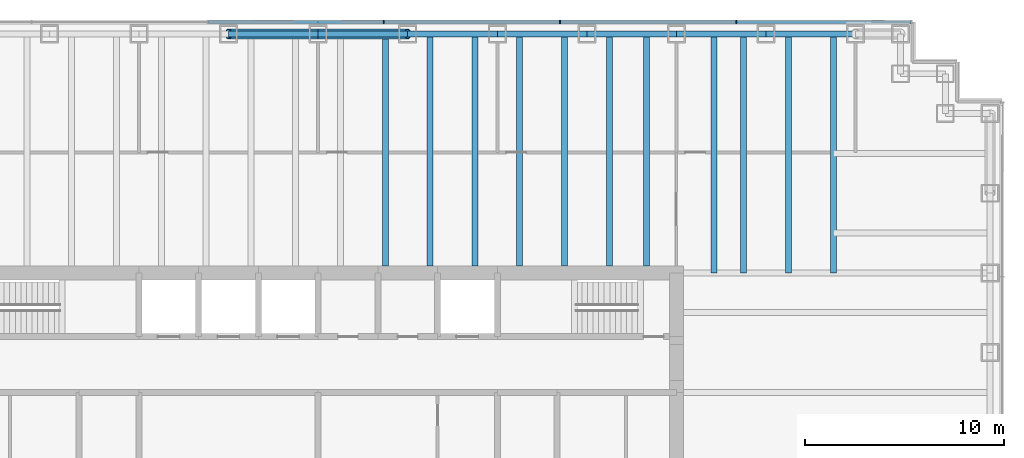
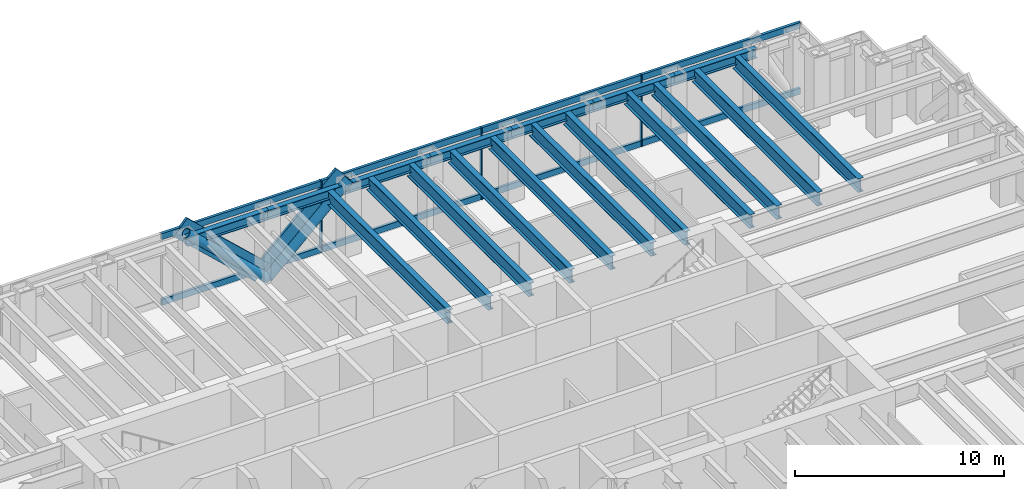
# One storey, part 7 of 15: 18 beams, 15 members, 1 element without a shape of its own.
"""IFC4 building model written with IfcOpenShell, lengths in metres."""

from ifc_helpers import new_model, si_unit, direction, frame, origin, origin_2d, place, context, subcontext, project, spatial, rectangle, hollow_circle, i_section, extrude, material, material_profile, profile_set, type_object, element, aggregate, save


model = new_model("IFC4")

# Units and contexts
model_context = context("Model", 3, precision=1e-05, world=origin(), true_north=direction((0.0, 1.0)))
body_context = subcontext(model_context, "Body", "Model", "MODEL_VIEW")
ifc_project = project(units=[si_unit("LENGTHUNIT", "METRE"), si_unit("AREAUNIT", "SQUARE_METRE"), si_unit("VOLUMEUNIT", "CUBIC_METRE"), si_unit("PLANEANGLEUNIT", "RADIAN"), si_unit("MASSUNIT", "GRAM", prefix="KILO")], contexts=[model_context])

# Site, building, storey
site_placement = place(None, origin())
site = spatial("IfcSite", under=ifc_project, at=site_placement, CompositionType="ELEMENT")
building_placement = place(site_placement, origin())
building = spatial("IfcBuilding", under=site, at=building_placement, Name="Rheinbord Bourse Tower", CompositionType="ELEMENT")
storey_placement = place(building_placement, frame((0.0, 0.0, 275.300048828125)))
storey = spatial("IfcBuildingStorey", under=building, at=storey_placement, Name="L62", CompositionType="ELEMENT", Elevation=275.300048828125)

# Curtain wall, members
ifc_material_1 = material(Name="Dark glass and black aluminium", Category="aluminium")
curtain_wall_type = type_object("IfcCurtainWallType", Name="CW3 DARK GLASS CURTAIN WALL", PredefinedType="USERDEFINED", material=ifc_material_1)
curtain_wall_placement = place(storey_placement, origin())
curtain_wall = element("IfcCurtainWall", 1, at=curtain_wall_placement, inside=storey, type_object=curtain_wall_type, Name="Curtain wall CW3 N L62", ObjectType="UNITISED CURTAIN WALL", PredefinedType="USERDEFINED")
ifc_material_2 = material(Name="Black anodised aluminium", Category="aluminium")
ifc_material_profile_1 = material_profile(ifc_material_2, rectangle(XDim=0.14990234375, YDim=1.10791015625, at=origin_2d()), Name="CW3 DIAGONAL MULLION 1108x150")
ifc_profile_set_1 = profile_set([ifc_material_profile_1], Name="Black anodised aluminium")
member_type_1 = type_object("IfcMemberType", Name="CW3 BLACK DIAGONAL MULLION", PredefinedType="USERDEFINED", material=ifc_profile_set_1)
member_1_placement = place(storey_placement, frame((36.0, 44.60009765625, 0.0), z_axis=(0.73105922506, 0.0, 0.682314010889), x_axis=(0.0, 1.0, 0.0)))
member_1 = element("IfcMember", 2, at=member_1_placement, type_object=member_type_1, Name="CW3 diagonal mullion a", ObjectType="DIAGONAL MULLION", PredefinedType="USERDEFINED", context=body_context, shape_type="SweptSolid", body=[
    extrude(rectangle(XDim=0.14990234375, YDim=1.10791015625, at=origin_2d()), origin(), (0.0, 0.0, 1.0), 6.155517578125),
])
member_2_placement = place(storey_placement, frame((36.0, 44.60009765625, 0.0), z_axis=(-0.73105922506, 0.0, 0.682314010889), x_axis=(0.0, -1.0, 0.0)))
member_2 = element("IfcMember", 3, at=member_2_placement, type_object=member_type_1, Name="CW3 diagonal mullion b", ObjectType="DIAGONAL MULLION", PredefinedType="USERDEFINED", context=body_context, shape_type="SweptSolid", body=[
    extrude(rectangle(XDim=0.14990234375, YDim=1.10791015625, at=origin_2d()), origin(), (0.0, 0.0, 1.0), 6.155517578125),
])
ifc_material_3 = material(Name="Black anodised aluminium", Category="aluminium")
ifc_material_profile_2 = material_profile(ifc_material_3, rectangle(XDim=0.199951171875, YDim=0.06494140625, at=origin_2d()), Name="CW3 MULLION 65x200")
ifc_profile_set_2 = profile_set([ifc_material_profile_2], Name="Black anodised aluminium")
member_type_2 = type_object("IfcMemberType", Name="CW3 BLACK MULLION", PredefinedType="MULLION", material=ifc_profile_set_2)
member_3_placement = place(storey_placement, frame((57.0, 44.60009765625, 0.0), z_axis=(0.0, 0.0, 1.0), x_axis=(0.0, -1.0, 0.0)))
member_3 = element("IfcMember", 4, at=member_3_placement, type_object=member_type_2, Name="CW3 mullion 2", PredefinedType="MULLION", context=body_context, shape_type="SweptSolid", body=[
    extrude(rectangle(XDim=0.199951171875, YDim=0.06494140625, at=origin_2d()), origin(), (0.0, 0.0, 1.0), 4.199951171875),
])
member_4_placement = place(storey_placement, frame((48.14990234375, 44.60009765625, 0.0), z_axis=(0.0, 0.0, 1.0), x_axis=(0.0, -1.0, 0.0)))
member_4 = element("IfcMember", 5, at=member_4_placement, type_object=member_type_2, Name="CW3 mullion 3", PredefinedType="MULLION", context=body_context, shape_type="SweptSolid", body=[
    extrude(rectangle(XDim=0.199951171875, YDim=0.06494140625, at=origin_2d()), origin(), (0.0, 0.0, 1.0), 4.199951171875),
])
member_5_placement = place(storey_placement, frame((39.300048828125, 44.60009765625, 0.0), z_axis=(0.0, 0.0, 1.0), x_axis=(0.0, -1.0, 0.0)))
member_5 = element("IfcMember", 6, at=member_5_placement, type_object=member_type_2, Name="CW3 mullion 4", PredefinedType="MULLION", context=body_context, shape_type="SweptSolid", body=[
    extrude(rectangle(XDim=0.199951171875, YDim=0.06494140625, at=origin_2d()), origin(), (0.0, 0.0, 1.0), 4.199951171875),
])
ifc_material_4 = material(Name="Black anodised aluminium", Category="aluminium")
ifc_material_profile_3 = material_profile(ifc_material_4, rectangle(XDim=0.14990234375, YDim=0.35009765625, at=origin_2d()), Name="CW3 TRANSOM 350x150")
ifc_profile_set_3 = profile_set([ifc_material_profile_3], Name="Black anodised aluminium")
member_type_3 = type_object("IfcMemberType", Name="CW3 BLACK TRANSOM", PredefinedType="USERDEFINED", material=ifc_profile_set_3)
member_6_placement = place(storey_placement, frame((65.784912109375, 44.60009765625, 0.175048828125), z_axis=(-1.0, 0.0, 0.0), x_axis=(0.0, -1.0, 0.0)))
member_6 = element("IfcMember", 7, at=member_6_placement, type_object=member_type_3, Name="CW3 transom 1.1", ObjectType="TRANSOM", PredefinedType="USERDEFINED", context=body_context, shape_type="SweptSolid", body=[
    extrude(rectangle(XDim=0.14990234375, YDim=0.35009765625, at=origin_2d()), origin(), (0.0, 0.0, 1.0), 8.75244140625),
])
member_7_placement = place(storey_placement, frame((65.784912109375, 44.60009765625, 4.02490234375), z_axis=(-1.0, 0.0, 0.0), x_axis=(0.0, -1.0, 0.0)))
member_7 = element("IfcMember", 8, at=member_7_placement, type_object=member_type_3, Name="CW3 transom 1.2", ObjectType="TRANSOM", PredefinedType="USERDEFINED", context=body_context, shape_type="SweptSolid", body=[
    extrude(rectangle(XDim=0.14990234375, YDim=0.35009765625, at=origin_2d()), origin(), (0.0, 0.0, 1.0), 8.75244140625),
])
member_8_placement = place(storey_placement, frame((56.967529296875, 44.60009765625, 0.175048828125), z_axis=(-1.0, 0.0, 0.0), x_axis=(0.0, -1.0, 0.0)))
member_8 = element("IfcMember", 9, at=member_8_placement, type_object=member_type_3, Name="CW3 transom 2.1", ObjectType="TRANSOM", PredefinedType="USERDEFINED", context=body_context, shape_type="SweptSolid", body=[
    extrude(rectangle(XDim=0.14990234375, YDim=0.35009765625, at=origin_2d()), origin(), (0.0, 0.0, 1.0), 8.784912109375),
])
member_9_placement = place(storey_placement, frame((56.967529296875, 44.60009765625, 4.02490234375), z_axis=(-1.0, 0.0, 0.0), x_axis=(0.0, -1.0, 0.0)))
member_9 = element("IfcMember", 10, at=member_9_placement, type_object=member_type_3, Name="CW3 transom 2.2", ObjectType="TRANSOM", PredefinedType="USERDEFINED", context=body_context, shape_type="SweptSolid", body=[
    extrude(rectangle(XDim=0.14990234375, YDim=0.35009765625, at=origin_2d()), origin(), (0.0, 0.0, 1.0), 8.784912109375),
])
member_10_placement = place(storey_placement, frame((48.117431640625, 44.60009765625, 0.175048828125), z_axis=(-1.0, 0.0, 0.0), x_axis=(0.0, -1.0, 0.0)))
member_10 = element("IfcMember", 11, at=member_10_placement, type_object=member_type_3, Name="CW3 transom 3.1", ObjectType="TRANSOM", PredefinedType="USERDEFINED", context=body_context, shape_type="SweptSolid", body=[
    extrude(rectangle(XDim=0.14990234375, YDim=0.35009765625, at=origin_2d()), origin(), (0.0, 0.0, 1.0), 8.784912109375),
])
member_11_placement = place(storey_placement, frame((48.117431640625, 44.60009765625, 4.02490234375), z_axis=(-1.0, 0.0, 0.0), x_axis=(0.0, -1.0, 0.0)))
member_11 = element("IfcMember", 12, at=member_11_placement, type_object=member_type_3, Name="CW3 transom 3.2", ObjectType="TRANSOM", PredefinedType="USERDEFINED", context=body_context, shape_type="SweptSolid", body=[
    extrude(rectangle(XDim=0.14990234375, YDim=0.35009765625, at=origin_2d()), origin(), (0.0, 0.0, 1.0), 8.784912109375),
])
member_12_placement = place(storey_placement, frame((39.267578125, 44.60009765625, 0.175048828125), z_axis=(-1.0, 0.0, 0.0), x_axis=(0.0, -1.0, 0.0)))
member_12 = element("IfcMember", 13, at=member_12_placement, type_object=member_type_3, Name="CW3 transom 4.1", ObjectType="TRANSOM", PredefinedType="USERDEFINED", context=body_context, shape_type="SweptSolid", body=[
    extrude(rectangle(XDim=0.14990234375, YDim=0.35009765625, at=origin_2d()), origin(), (0.0, 0.0, 1.0), 8.78515625),
])
member_13_placement = place(storey_placement, frame((39.267578125, 44.60009765625, 4.02490234375), z_axis=(-1.0, 0.0, 0.0), x_axis=(0.0, -1.0, 0.0)))
member_13 = element("IfcMember", 14, at=member_13_placement, type_object=member_type_3, Name="CW3 transom 4.2", ObjectType="TRANSOM", PredefinedType="USERDEFINED", context=body_context, shape_type="SweptSolid", body=[
    extrude(rectangle(XDim=0.14990234375, YDim=0.35009765625, at=origin_2d()), origin(), (0.0, 0.0, 1.0), 8.78515625),
])
aggregate(curtain_wall, [member_3, member_4, member_5, member_6, member_7, member_8, member_9, member_10, member_11, member_12, member_13, member_1, member_2])

# Beams
ifc_material_5 = material(Name="Steel S460", Category="steel")
ifc_material_profile_4 = material_profile(ifc_material_5, i_section(OverallWidth=0.300048828125, OverallDepth=0.800048828125, WebThickness=0.017578125, FlangeThickness=0.032958984375, at=origin_2d()), Name="HEB 800")
ifc_profile_set_4 = profile_set([ifc_material_profile_4], Name="Steel S460")
beam_type_1 = type_object("IfcBeamType", Name="FLOOR BEAM HEB 800", PredefinedType="BEAM", material=ifc_profile_set_4)
for number, where, z_axis, x_axis, name in (
    (15, (39.375, 44.0, 3.639892578125), (0.0, -1.0, 0.0), (1.0, 0.0, 0.0), "Floor beam N-36b L63"),
    (16, (41.625, 44.0, 3.639892578125), (0.0, -1.0, 0.0), (1.0, 0.0, 0.0), "Floor beam N-40.5a L63"),
    (17, (43.875, 44.0, 3.639892578125), (0.0, -1.0, 0.0), (1.0, 0.0, 0.0), "Floor beam N-40.5b L63"),
    (18, (46.125, 44.0, 3.639892578125), (0.0, -1.0, 0.0), (1.0, 0.0, 0.0), "Floor beam N-45a L63"),
    (19, (48.375, 44.0, 3.639892578125), (0.0, -1.0, 0.0), (1.0, 0.0, 0.0), "Floor beam N-45b L63"),
    (20, (50.625, 44.0, 3.639892578125), (0.0, -1.0, 0.0), (1.0, 0.0, 0.0), "Floor beam N-49.5a L63"),
    (21, (52.5, 44.0, 3.639892578125), (0.0, -1.0, 0.0), (1.0, 0.0, 0.0), "Floor beam N-49.5b L63"),
):
    element("IfcBeam", number, at=place(storey_placement, frame(where, z_axis=z_axis, x_axis=x_axis)), inside=storey, type_object=beam_type_1, Name=name, PredefinedType="BEAM", context=body_context, shape_type="SweptSolid", body=[
        extrude(i_section(OverallWidth=0.300048828125, OverallDepth=0.800048828125, WebThickness=0.017578125, FlangeThickness=0.032958984375, at=origin_2d()), origin(), (0.0, 0.0, 1.0), 11.64990234375),
    ])
for number, where, z_axis, x_axis, name in (
    (22, (55.875, 44.0, 3.639892578125), (0.0, -1.0, 0.0), (1.0, 0.0, 0.0), "Floor beam N-54a L63"),
    (23, (57.375, 44.0, 3.639892578125), (0.0, -1.0, 0.0), (1.0, 0.0, 0.0), "Floor beam N-54b L63"),
    (24, (59.625, 44.0, 3.639892578125), (0.0, -1.0, 0.0), (1.0, 0.0, 0.0), "Floor beam N-58.5a L63"),
    (25, (61.875, 44.0, 3.639892578125), (0.0, -1.0, 0.0), (1.0, 0.0, 0.0), "Floor beam N-58.5b L63"),
):
    element("IfcBeam", number, at=place(storey_placement, frame(where, z_axis=z_axis, x_axis=x_axis)), inside=storey, type_object=beam_type_1, Name=name, PredefinedType="BEAM", context=body_context, shape_type="SweptSolid", body=[
        extrude(i_section(OverallWidth=0.300048828125, OverallDepth=0.800048828125, WebThickness=0.017578125, FlangeThickness=0.032958984375, at=origin_2d()), origin(), (0.0, 0.0, 1.0), 12.0),
    ])

# Members
ifc_material_6 = material(Name="Steel S460", Category="steel")
ifc_material_profile_5 = material_profile(ifc_material_6, hollow_circle(Radius=0.25390625, WallThickness=0.030029296875, at=origin_2d()), Name="CHS 508x30")
ifc_profile_set_5 = profile_set([ifc_material_profile_5], Name="Steel S460")
member_type_4 = type_object("IfcMemberType", Name="MEGABRACE CHS 508x30", PredefinedType="BRACE", material=ifc_profile_set_5)
for number, where, z_axis, x_axis, name in (
    (26, (36.0, 44.0, 0.0), (0.73105922506, 0.0, 0.682314010889), (0.0, 1.0, 0.0), "Megabrace N face line a L62"),
    (27, (36.0, 44.0, 0.0), (-0.73105922506, 0.0, 0.682314010889), (0.0, -1.0, 0.0), "Megabrace N face line b L62"),
):
    element("IfcMember", number, at=place(storey_placement, frame(where, z_axis=z_axis, x_axis=x_axis)), inside=storey, type_object=member_type_4, Name=name, PredefinedType="BRACE", context=body_context, shape_type="SweptSolid", body=[
        extrude(hollow_circle(Radius=0.25390625, WallThickness=0.030029296875, at=origin_2d()), origin(), (0.0, 0.0, 1.0), 6.155517578125),
    ])

# Beams
ifc_material_7 = material(Name="Steel S460", Category="steel")
ifc_material_profile_6 = material_profile(ifc_material_7, i_section(OverallWidth=0.300048828125, OverallDepth=0.550048828125, WebThickness=0.014892578125, FlangeThickness=0.029052734375, at=origin_2d()), Name="HEB 550")
ifc_profile_set_6 = profile_set([ifc_material_profile_6], Name="Steel S460")
beam_type_2 = type_object("IfcBeamType", Name="SPANDREL HEB 550", PredefinedType="SPANDREL", material=ifc_profile_set_6)
for number, where, z_axis, x_axis, name in (
    (28, (63.0, 44.0, 3.764892578125), (-1.0, 0.0, 0.0), (0.0, -1.0, 0.0), "Spandrel N-63-N-58.5 under L63"),
    (29, (58.5, 44.0, 3.764892578125), (-1.0, 0.0, 0.0), (0.0, -1.0, 0.0), "Spandrel N-58.5-N-54 under L63"),
    (30, (54.0, 44.0, 3.764892578125), (-1.0, 0.0, 0.0), (0.0, -1.0, 0.0), "Spandrel N-54-N-49.5 under L63"),
    (31, (49.5, 44.0, 3.764892578125), (-1.0, 0.0, 0.0), (0.0, -1.0, 0.0), "Spandrel N-49.5-N-45 under L63"),
    (32, (45.0, 44.0, 3.764892578125), (-1.0, 0.0, 0.0), (0.0, -1.0, 0.0), "Spandrel N-45-N-40.5 under L63"),
    (33, (40.5, 44.0, 3.764892578125), (-1.0, 0.0, 0.0), (0.0, -1.0, 0.0), "Spandrel N-40.5-N-36 under L63"),
    (34, (36.0, 44.0, 3.764892578125), (-1.0, 0.0, 0.0), (0.0, -1.0, 0.0), "Spandrel N-36-N-31.5 under L63"),
):
    element("IfcBeam", number, at=place(storey_placement, frame(where, z_axis=z_axis, x_axis=x_axis)), inside=storey, type_object=beam_type_2, Name=name, PredefinedType="SPANDREL", context=body_context, shape_type="SweptSolid", body=[
        extrude(i_section(OverallWidth=0.300048828125, OverallDepth=0.550048828125, WebThickness=0.014892578125, FlangeThickness=0.029052734375, at=origin_2d()), origin(), (0.0, 0.0, 1.0), 4.5),
    ])

save(model, "model.ifc")
